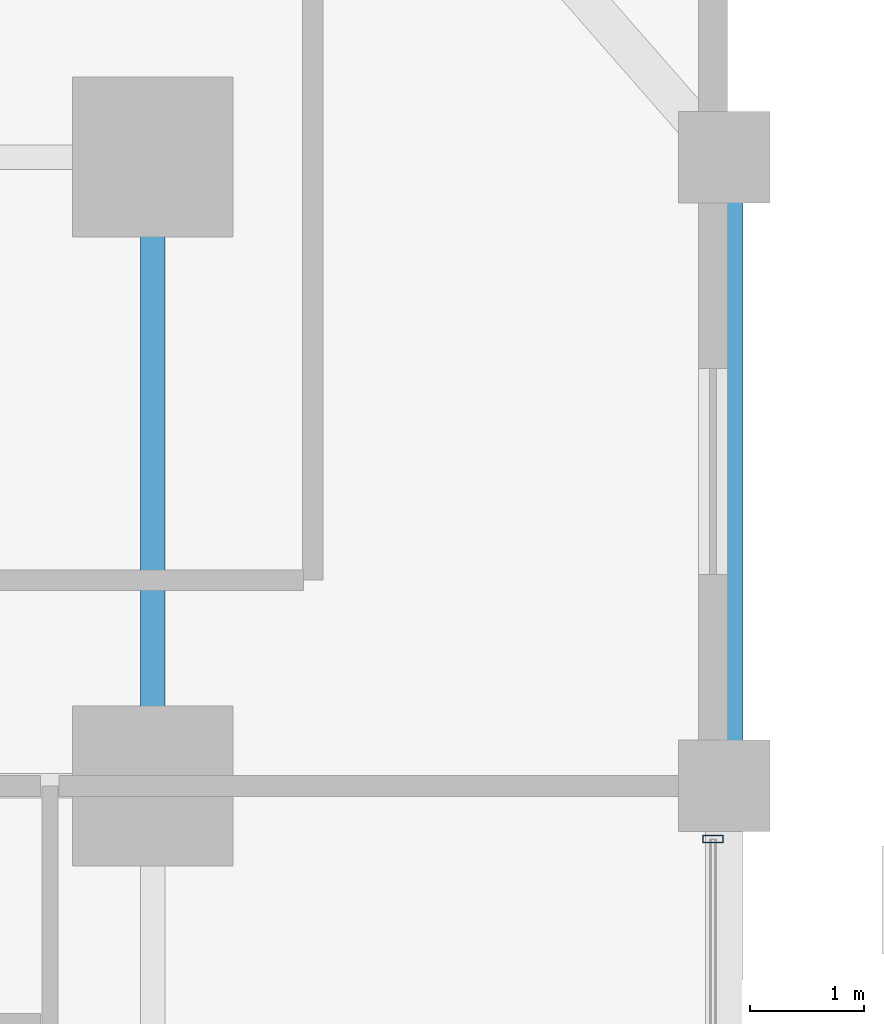
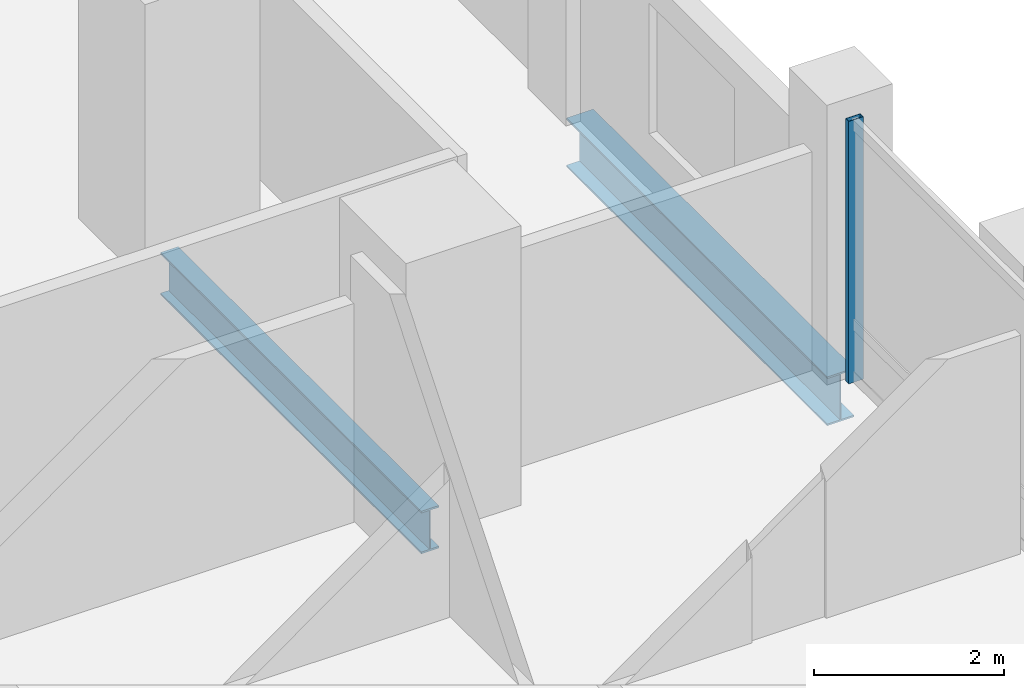
# One storey, part 15 of 24: 2 beams, 1 member, 1 element without a shape of its own.
"""IFC4 building model written with IfcOpenShell, lengths in metres."""

from ifc_helpers import new_model, si_unit, direction, frame, origin, origin_2d, place, context, subcontext, project, spatial, hollow_rectangle, i_section, extrude, material, layer, layer_set, material_profile, profile_set, type_object, element, aggregate, save


model = new_model("IFC4")

# Units and contexts
model_context = context("Model", 3, precision=1e-05, world=origin(), true_north=direction((0.0, 1.0)))
body_context = subcontext(model_context, "Body", "Model", "MODEL_VIEW")
ifc_project = project(units=[si_unit("LENGTHUNIT", "METRE"), si_unit("AREAUNIT", "SQUARE_METRE"), si_unit("VOLUMEUNIT", "CUBIC_METRE"), si_unit("PLANEANGLEUNIT", "RADIAN"), si_unit("MASSUNIT", "GRAM", prefix="KILO")], contexts=[model_context])

# Site, building, storey
site_placement = place(None, origin())
site = spatial("IfcSite", under=ifc_project, at=site_placement, CompositionType="ELEMENT")
building_placement = place(site_placement, origin())
building = spatial("IfcBuilding", under=site, at=building_placement, Name="Barlavira Tower and Art Museum", CompositionType="ELEMENT")
storey_placement = place(building_placement, frame((0.0, 0.0, 32.39990234375)))
storey = spatial("IfcBuildingStorey", under=building, at=storey_placement, Name="L06", CompositionType="ELEMENT", Elevation=32.39990234375)

# Curtain wall, member
ifc_material_1 = material(Name="Low-iron coastal laminated glass", Category="glass")
ifc_layer = layer(ifc_material_1, 0.179931640625, Name="Low-iron coastal laminated glass")
ifc_layer_set = layer_set([ifc_layer], Name="Low-iron coastal laminated glass")
curtain_wall_type = type_object("IfcCurtainWallType", Name="Pale-Metal Unitised Curtain Wall Zone 1", PredefinedType="NOTDEFINED", material=ifc_layer_set)
curtain_wall_placement = place(storey_placement, origin())
curtain_wall = element("IfcCurtainWall", 1, at=curtain_wall_placement, inside=storey, type_object=curtain_wall_type, Name="L06 Curtain Wall CW1-L06-E-B3", PredefinedType="NOTDEFINED")
ifc_material_2 = material(Name="Pale anodised aluminium", Category="aluminium")
ifc_material_profile_1 = material_profile(ifc_material_2, hollow_rectangle(XDim=0.06494140625, YDim=0.179931640625, WallThickness=0.00390625, at=origin_2d()), Name="ALU-MULL 65x180x4")
ifc_profile_set_1 = profile_set([ifc_material_profile_1], Name="Pale anodised aluminium")
member_type = type_object("IfcMemberType", Name="Curtain Wall Pale-Metal Mullion 65x180", PredefinedType="MULLION", material=ifc_profile_set_1)
member_placement = place(storey_placement, frame((21.89990234375, 7.034912109375, 0.0), z_axis=(0.0, 0.0, 1.0), x_axis=(0.0, 1.0, 0.0)))
member = element("IfcMember", 2, at=member_placement, type_object=member_type, Name="CW1-L06-E-B3 Mullion 3", PredefinedType="MULLION", context=body_context, shape_type="SweptSolid", body=[
    extrude(hollow_rectangle(XDim=0.06494140625, YDim=0.179931640625, WallThickness=0.00390625, at=origin_2d()), origin(), (0.0, 0.0, 1.0), 3.380126953125),
])
aggregate(curtain_wall, [member])

# Beams
ifc_material_3 = material(Name="Steel S355", Category="steel")
ifc_material_profile_2 = material_profile(ifc_material_3, i_section(OverallWidth=0.327880859375, OverallDepth=0.62890625, WebThickness=0.013916015625, FlangeThickness=0.021484375, at=origin_2d()), Name="W610x174.0")
ifc_profile_set_2 = profile_set([ifc_material_profile_2], Name="Steel S355")
beam_type_1 = type_object("IfcBeamType", Name="Perimeter Spandrel Edge Beam W610x174 Steel S355", PredefinedType="SPANDREL", material=ifc_profile_set_2)
beam_1_placement = place(storey_placement, frame((22.0, 7.5, -0.534423828125), z_axis=(0.0, 1.0, 0.0), x_axis=(-1.0, 0.0, 0.0)))
element("IfcBeam", 3, at=beam_1_placement, inside=storey, type_object=beam_type_1, Name="L06 Spandrel 7", PredefinedType="SPANDREL", context=body_context, shape_type="SweptSolid", body=[
    extrude(i_section(OverallWidth=0.327880859375, OverallDepth=0.62890625, WebThickness=0.013916015625, FlangeThickness=0.021484375, at=origin_2d()), origin(), (0.0, 0.0, 1.0), 5.5),
])
ifc_material_profile_3 = material_profile(ifc_material_3, i_section(OverallWidth=0.214111328125, OverallDepth=0.549072265625, WebThickness=0.0146484375, FlangeThickness=0.023681640625, at=origin_2d()), Name="W530x138.0")
ifc_profile_set_3 = profile_set([ifc_material_profile_3], Name="Steel S355")
beam_type_2 = type_object("IfcBeamType", Name="Zone 1 Primary Floor Girder W530x138 Steel S355", PredefinedType="BEAM", material=ifc_profile_set_3)
beam_2_placement = place(storey_placement, frame((17.0, 7.5, -0.494384765625), z_axis=(0.0, 1.0, 0.0), x_axis=(-1.0, 0.0, 0.0)))
element("IfcBeam", 4, at=beam_2_placement, inside=storey, type_object=beam_type_2, Name="L06 Girder M-E3", PredefinedType="BEAM", context=body_context, shape_type="SweptSolid", body=[
    extrude(i_section(OverallWidth=0.214111328125, OverallDepth=0.549072265625, WebThickness=0.0146484375, FlangeThickness=0.023681640625, at=origin_2d()), origin(), (0.0, 0.0, 1.0), 5.5),
])

save(model, "model.ifc")
